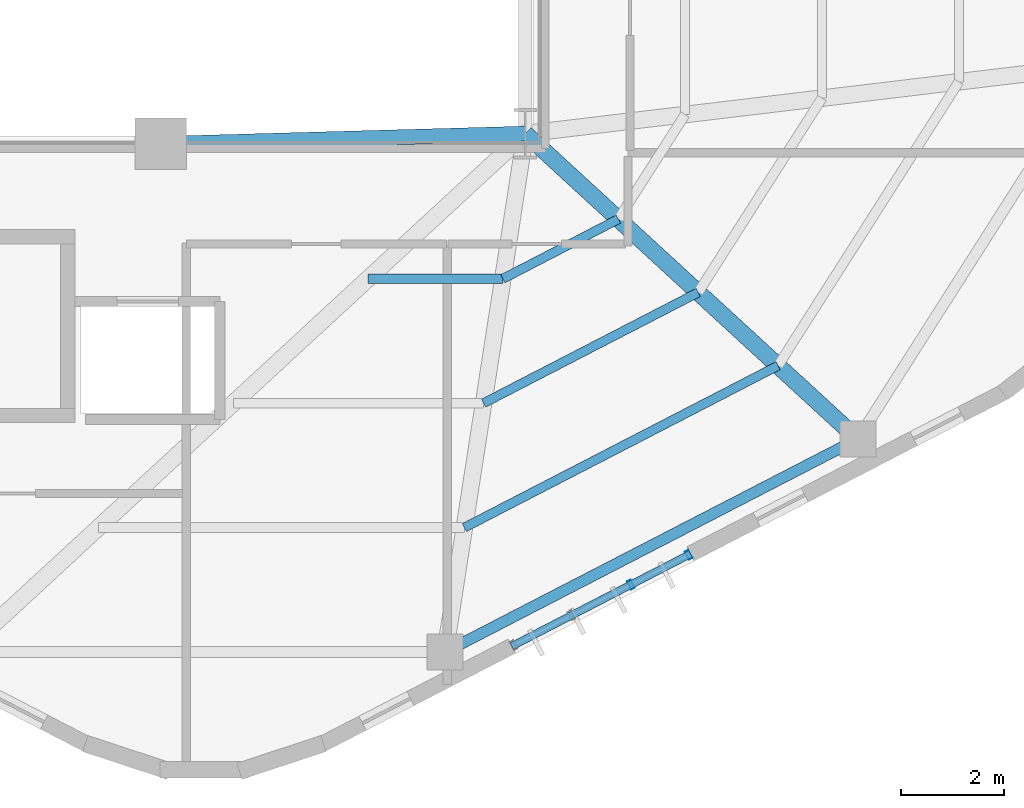
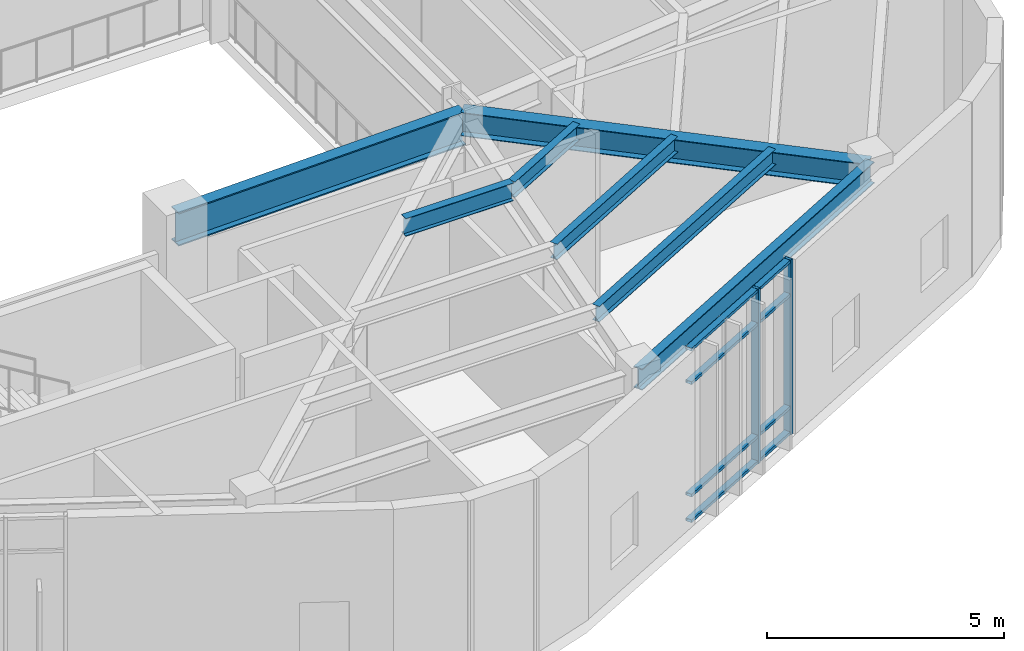
# One storey, part 4 of 19: 7 beams, 6 members, 1 element without a shape of its own.
"""IFC4 building model written with IfcOpenShell, lengths in metres."""

from ifc_helpers import new_model, si_unit, direction, frame, origin, origin_2d, place, context, subcontext, project, spatial, hollow_rectangle, i_section, extrude, material, layer, layer_set, material_profile, profile_set, type_object, element, aggregate, save


model = new_model("IFC4")

# Units and contexts
model_context = context("Model", 3, precision=1e-05, world=origin(), true_north=direction((0.0, 1.0)))
body_context = subcontext(model_context, "Body", "Model", "MODEL_VIEW")
ifc_project = project(units=[si_unit("LENGTHUNIT", "METRE"), si_unit("AREAUNIT", "SQUARE_METRE"), si_unit("VOLUMEUNIT", "CUBIC_METRE"), si_unit("PLANEANGLEUNIT", "RADIAN"), si_unit("MASSUNIT", "GRAM", prefix="KILO"), si_unit("THERMODYNAMICTEMPERATUREUNIT", "KELVIN"), si_unit("POWERUNIT", "WATT")], contexts=[model_context])

# Site, building, storey
site_placement = place(None, origin())
site = spatial("IfcSite", under=ifc_project, at=site_placement, CompositionType="ELEMENT")
building_placement = place(site_placement, origin())
building = spatial("IfcBuilding", under=site, at=building_placement, Name="Skarre Station Tower", CompositionType="ELEMENT")
storey_placement = place(building_placement, frame((0.0, 0.0, 275.10009765625)))
storey = spatial("IfcBuildingStorey", under=building, at=storey_placement, Name="L75", CompositionType="ELEMENT", Elevation=275.10009765625)

# Curtain wall, members
ifc_material_1 = material(Name="Thermally Broken Bronze-Anodized Aluminium & Triple Low-E Glass", Category="aluminium")
ifc_layer = layer(ifc_material_1, 0.219970703125, Name="Thermally Broken Bronze-Anodized Aluminium & Triple Low-E Glass")
ifc_layer_set = layer_set([ifc_layer], Name="Thermally Broken Bronze-Anodized Aluminium & Triple Low-E Glass")
curtain_wall_type = type_object("IfcCurtainWallType", Name="Observation Deck Panorama Unitised Curtain Wall", PredefinedType="NOTDEFINED", material=ifc_layer_set)
curtain_wall_placement = place(storey_placement, origin())
curtain_wall = element("IfcCurtainWall", 1, at=curtain_wall_placement, inside=storey, type_object=curtain_wall_type, Name="L75 Facet 4 Observatory Curtain Wall", PredefinedType="NOTDEFINED")
ifc_material_2 = material(Name="Anodized Aluminium 6063-T6", Category="aluminium")
ifc_material_profile_1 = material_profile(ifc_material_2, hollow_rectangle(XDim=0.074951171875, YDim=0.14990234375, WallThickness=0.00390625, at=origin_2d()), Name="Anodized Aluminium 6063-T6")
ifc_profile_set_1 = profile_set([ifc_material_profile_1], Name="Anodized Aluminium 6063-T6")
member_type_1 = type_object("IfcMemberType", Name="Curtain-Wall Secondary Transom 150x75", PredefinedType="USERDEFINED", material=ifc_profile_set_1)
member_1_placement = place(storey_placement, frame((42.6708984375, 10.465087890625, 0.039794921875), z_axis=(-0.888470771822, -0.458933206053, 0.0), x_axis=(0.0, 0.0, 1.0)))
member_1 = element("IfcMember", 2, at=member_1_placement, type_object=member_type_1, Name="L75 Facet 4 Observatory Curtain Wall Transom 1", ObjectType="TRANSOM", PredefinedType="USERDEFINED", context=body_context, shape_type="SweptSolid", body=[
    extrude(hollow_rectangle(XDim=0.074951171875, YDim=0.14990234375, WallThickness=0.00390625, at=origin_2d()), origin(), (0.0, 0.0, 1.0), 3.920166015625),
])
member_2_placement = place(storey_placement, frame((42.6708984375, 10.465087890625, 0.699951171875), z_axis=(-0.888470771822, -0.458933206053, 0.0), x_axis=(0.0, 0.0, 1.0)))
member_2 = element("IfcMember", 3, at=member_2_placement, type_object=member_type_1, Name="L75 Facet 4 Observatory Curtain Wall Transom 2", ObjectType="TRANSOM", PredefinedType="USERDEFINED", context=body_context, shape_type="SweptSolid", body=[
    extrude(hollow_rectangle(XDim=0.074951171875, YDim=0.14990234375, WallThickness=0.00390625, at=origin_2d()), origin(), (0.0, 0.0, 1.0), 3.920166015625),
])
member_3_placement = place(storey_placement, frame((42.6708984375, 10.465087890625, 3.58984375), z_axis=(-0.888470771822, -0.458933206053, 0.0), x_axis=(0.0, 0.0, 1.0)))
member_3 = element("IfcMember", 4, at=member_3_placement, type_object=member_type_1, Name="L75 Facet 4 Observatory Curtain Wall Transom 3", ObjectType="TRANSOM", PredefinedType="USERDEFINED", context=body_context, shape_type="SweptSolid", body=[
    extrude(hollow_rectangle(XDim=0.074951171875, YDim=0.14990234375, WallThickness=0.00390625, at=origin_2d()), origin(), (0.0, 0.0, 1.0), 3.920166015625),
])
member_4_placement = place(storey_placement, frame((42.6708984375, 10.465087890625, 4.449951171875), z_axis=(-0.888470771822, -0.458933206053, 0.0), x_axis=(0.0, 0.0, 1.0)))
member_4 = element("IfcMember", 5, at=member_4_placement, type_object=member_type_1, Name="L75 Facet 4 Observatory Curtain Wall Transom 4", ObjectType="TRANSOM", PredefinedType="USERDEFINED", context=body_context, shape_type="SweptSolid", body=[
    extrude(hollow_rectangle(XDim=0.074951171875, YDim=0.14990234375, WallThickness=0.00390625, at=origin_2d()), origin(), (0.0, 0.0, 1.0), 3.920166015625),
])
ifc_material_profile_2 = material_profile(ifc_material_2, hollow_rectangle(XDim=0.074951171875, YDim=0.179931640625, WallThickness=0.00390625, at=origin_2d()), Name="Anodized Aluminium 6063-T6")
ifc_profile_set_2 = profile_set([ifc_material_profile_2], Name="Anodized Aluminium 6063-T6")
member_type_2 = type_object("IfcMemberType", Name="Curtain-Wall Unitised Tower Mullion 180x75", PredefinedType="MULLION", material=ifc_profile_set_2)
member_5_placement = place(storey_placement, frame((42.635009765625, 10.447021484375, 0.0), z_axis=(0.0, 0.0, 1.0), x_axis=(-0.88848110948, -0.458913192332, 0.0)))
member_5 = element("IfcMember", 6, at=member_5_placement, type_object=member_type_2, Name="L75 Facet 4 Observatory Curtain Wall Mullion 1", PredefinedType="MULLION", context=body_context, shape_type="SweptSolid", body=[
    extrude(hollow_rectangle(XDim=0.074951171875, YDim=0.179931640625, WallThickness=0.00390625, at=origin_2d()), origin(), (0.0, 0.0, 1.0), 4.489990234375),
])
member_6_placement = place(storey_placement, frame((41.510009765625, 9.864990234375, 0.0), z_axis=(0.0, 0.0, 1.0), x_axis=(-0.88848110948, -0.458913192332, 0.0)))
member_6 = element("IfcMember", 7, at=member_6_placement, type_object=member_type_2, Name="L75 Facet 4 Observatory Curtain Wall Mullion 2", PredefinedType="MULLION", context=body_context, shape_type="SweptSolid", body=[
    extrude(hollow_rectangle(XDim=0.074951171875, YDim=0.179931640625, WallThickness=0.00390625, at=origin_2d()), origin(), (0.0, 0.0, 1.0), 4.489990234375),
])
aggregate(curtain_wall, [member_5, member_6, member_1, member_2, member_3, member_4])

# Beams
ifc_material_3 = material(Name="Steel ASTM A992 Grade 50", Category="steel")
ifc_material_profile_3 = material_profile(ifc_material_3, i_section(OverallWidth=0.323974609375, OverallDepth=0.611083984375, WebThickness=0.012939453125, FlangeThickness=0.01904296875, at=origin_2d()), Name="Steel ASTM A992 Grade 50")
ifc_profile_set_3 = profile_set([ifc_material_profile_3], Name="Steel ASTM A992 Grade 50")
beam_type_1 = type_object("IfcBeamType", Name="Steel Beam W24X104", PredefinedType="BEAM", material=ifc_profile_set_3)
beam_1_placement = place(storey_placement, frame((39.449951171875, 18.64990234375, 4.183837890625), z_axis=(0.736547671183, -0.676385635621, 0.0), x_axis=(0.676385635621, 0.736547671183, 0.0)))
element("IfcBeam", 8, at=beam_1_placement, inside=storey, type_object=beam_type_1, Name="L75 Radial Floor Girder F4C2", PredefinedType="BEAM", context=body_context, shape_type="SweptSolid", body=[
    extrude(i_section(OverallWidth=0.323974609375, OverallDepth=0.611083984375, WebThickness=0.012939453125, FlangeThickness=0.01904296875, at=origin_2d()), origin(), (0.0, 0.0, 1.0), 8.793701171875),
])
ifc_material_profile_4 = material_profile(ifc_material_3, i_section(OverallWidth=0.2919921875, OverallDepth=0.85888671875, WebThickness=0.01708984375, FlangeThickness=0.031005859375, at=origin_2d()), Name="Steel ASTM A992 Grade 50")
ifc_profile_set_4 = profile_set([ifc_material_profile_4], Name="Steel ASTM A992 Grade 50")
beam_type_2 = type_object("IfcBeamType", Name="Steel Beam W33X169", PredefinedType="BEAM", material=ifc_profile_set_4)
beam_2_placement = place(storey_placement, frame((32.35009765625, 18.449951171875, 4.059814453125), z_axis=(0.999603666405, 0.028151556095, 0.0), x_axis=(-0.028151556095, 0.999603666405, 0.0)))
element("IfcBeam", 9, at=beam_2_placement, inside=storey, type_object=beam_type_2, Name="L75 Atrium South Edge Girder", PredefinedType="BEAM", context=body_context, shape_type="SweptSolid", body=[
    extrude(i_section(OverallWidth=0.2919921875, OverallDepth=0.85888671875, WebThickness=0.01708984375, FlangeThickness=0.031005859375, at=origin_2d()), origin(), (0.0, 0.0, 1.0), 7.102783203125),
])
ifc_material_profile_5 = material_profile(ifc_material_3, i_section(OverallWidth=0.177978515625, OverallDepth=0.403076171875, WebThickness=0.008056640625, FlangeThickness=0.010986328125, at=origin_2d()), Name="Steel ASTM A992 Grade 50")
ifc_profile_set_5 = profile_set([ifc_material_profile_5], Name="Steel ASTM A992 Grade 50")
beam_type_3 = type_object("IfcBeamType", Name="Steel Joist W16X36", PredefinedType="JOIST", material=ifc_profile_set_5)
beam_3_placement = place(storey_placement, frame((39.012939453125, 15.822998046875, 4.287841796875), z_axis=(0.888569970054, 0.458741112522, 0.0), x_axis=(-0.458741112522, 0.888569970054, 0.0)))
element("IfcBeam", 10, at=beam_3_placement, inside=storey, type_object=beam_type_3, Name="L75 Auxiliary Composite Joist 15", PredefinedType="JOIST", context=body_context, shape_type="SweptSolid", body=[
    extrude(i_section(OverallWidth=0.177978515625, OverallDepth=0.403076171875, WebThickness=0.008056640625, FlangeThickness=0.010986328125, at=origin_2d()), origin(), (0.0, 0.0, 1.0), 2.533203125),
])
beam_4_placement = place(storey_placement, frame((38.637939453125, 13.39990234375, 4.287841796875), z_axis=(0.88866637077, 0.458554338614, 0.0), x_axis=(-0.458554338614, 0.88866637077, 0.0)))
element("IfcBeam", 11, at=beam_4_placement, inside=storey, type_object=beam_type_3, Name="L75 Auxiliary Composite Joist 16", PredefinedType="JOIST", context=body_context, shape_type="SweptSolid", body=[
    extrude(i_section(OverallWidth=0.177978515625, OverallDepth=0.403076171875, WebThickness=0.008056640625, FlangeThickness=0.010986328125, at=origin_2d()), origin(), (0.0, 0.0, 1.0), 4.703857421875),
])
beam_5_placement = place(storey_placement, frame((38.263916015625, 10.97607421875, 4.287841796875), z_axis=(0.888578636, 0.458724326414, 0.0), x_axis=(-0.458724326414, 0.888578636, 0.0)))
element("IfcBeam", 12, at=beam_5_placement, inside=storey, type_object=beam_type_3, Name="L75 Auxiliary Composite Joist 17", PredefinedType="JOIST", context=body_context, shape_type="SweptSolid", body=[
    extrude(i_section(OverallWidth=0.177978515625, OverallDepth=0.403076171875, WebThickness=0.008056640625, FlangeThickness=0.010986328125, at=origin_2d()), origin(), (0.0, 0.0, 1.0), 6.875244140625),
])
ifc_material_profile_6 = material_profile(ifc_material_3, i_section(OverallWidth=0.19091796875, OverallDepth=0.45703125, WebThickness=0.009033203125, FlangeThickness=0.013916015625, at=origin_2d()), Name="Steel ASTM A992 Grade 50")
ifc_profile_set_6 = profile_set([ifc_material_profile_6], Name="Steel ASTM A992 Grade 50")
beam_type_4 = type_object("IfcBeamType", Name="Steel Joist W18X50", PredefinedType="JOIST", material=ifc_profile_set_6)
beam_6_placement = place(storey_placement, frame((36.386962890625, 15.822998046875, 4.260986328125), z_axis=(1.0, 0.0, 0.0), x_axis=(0.0, 1.0, 0.0)))
element("IfcBeam", 13, at=beam_6_placement, inside=storey, type_object=beam_type_4, Name="L75 Auxiliary Composite Joist 12", PredefinedType="JOIST", context=body_context, shape_type="SweptSolid", body=[
    extrude(i_section(OverallWidth=0.19091796875, OverallDepth=0.45703125, WebThickness=0.009033203125, FlangeThickness=0.013916015625, at=origin_2d()), origin(), (0.0, 0.0, 1.0), 2.6259765625),
])
ifc_material_profile_7 = material_profile(ifc_material_3, i_section(OverallWidth=0.214111328125, OverallDepth=0.549072265625, WebThickness=0.014892578125, FlangeThickness=0.02392578125, at=origin_2d()), Name="Steel ASTM A992 Grade 50")
ifc_profile_set_7 = profile_set([ifc_material_profile_7], Name="Steel ASTM A992 Grade 50")
beam_type_5 = type_object("IfcBeamType", Name="Steel Spandrel W21X93", PredefinedType="SPANDREL", material=ifc_profile_set_7)
beam_7_placement = place(storey_placement, frame((37.888916015625, 8.552978515625, 4.21484375), z_axis=(0.888610011727, 0.458663544505, 0.0), x_axis=(-0.458663544505, 0.888610011727, 0.0)))
element("IfcBeam", 14, at=beam_7_placement, inside=storey, type_object=beam_type_5, Name="L75 Facet Spandrel Beam 9", PredefinedType="SPANDREL", context=body_context, shape_type="SweptSolid", body=[
    extrude(i_section(OverallWidth=0.214111328125, OverallDepth=0.549072265625, WebThickness=0.014892578125, FlangeThickness=0.02392578125, at=origin_2d()), origin(), (0.0, 0.0, 1.0), 9.045654296875),
])

save(model, "model.ifc")
